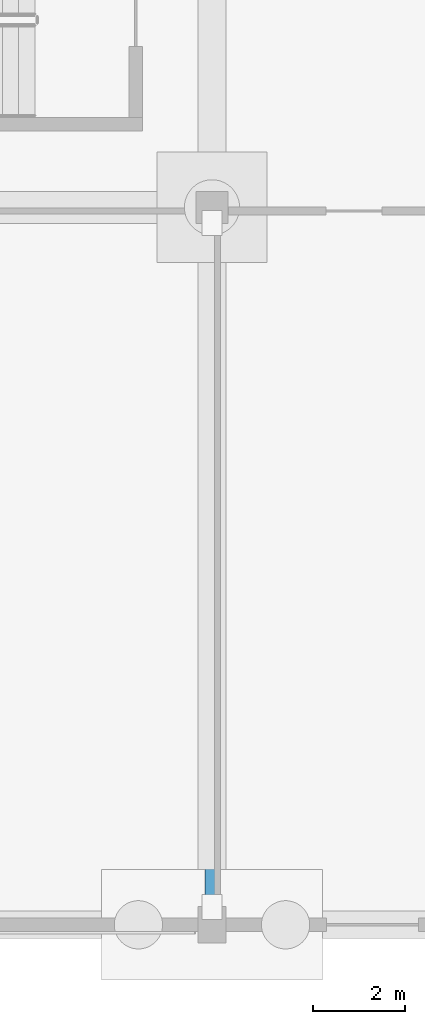
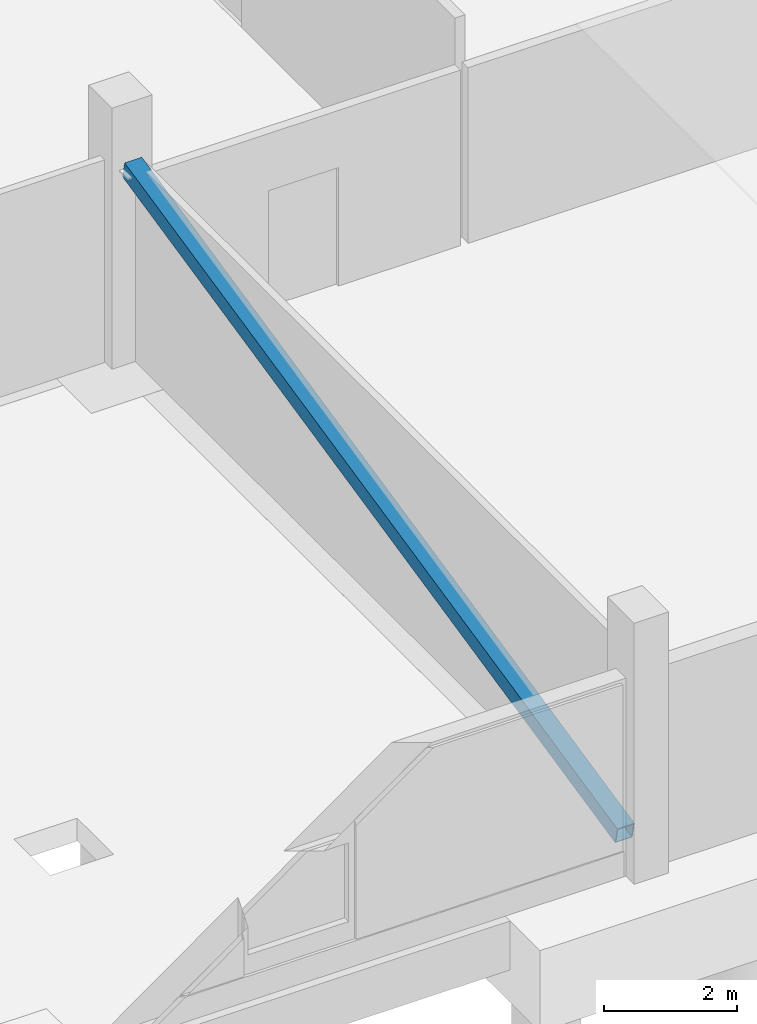
# One storey, part 17 of 82: 1 member.
"""IFC4 building model written with IfcOpenShell, lengths in metres."""

from ifc_helpers import new_model, si_unit, direction, frame, origin, origin_2d, place, context, subcontext, project, spatial, hollow_rectangle, extrude, material, material_profile, profile_set, type_object, element, save


model = new_model("IFC4")

# Units and contexts
model_context = context("Model", 3, precision=1e-05, world=origin(), true_north=direction((0.0, 1.0)))
body_context = subcontext(model_context, "Body", "Model", "MODEL_VIEW")
ifc_project = project(units=[si_unit("LENGTHUNIT", "METRE"), si_unit("AREAUNIT", "SQUARE_METRE"), si_unit("VOLUMEUNIT", "CUBIC_METRE"), si_unit("PLANEANGLEUNIT", "RADIAN"), si_unit("MASSUNIT", "GRAM", prefix="KILO")], contexts=[model_context])

# Site, building, storey
site_placement = place(None, origin())
site = spatial("IfcSite", under=ifc_project, at=site_placement, CompositionType="ELEMENT")
building_placement = place(site_placement, origin())
building = spatial("IfcBuilding", under=site, at=building_placement, Name="Kelmvaro Bay Concert Hall", CompositionType="ELEMENT")
storey_placement = place(building_placement, origin())
storey = spatial("IfcBuildingStorey", under=building, at=storey_placement, Name="L00", CompositionType="ELEMENT", Elevation=0.0)

# Member
ifc_material = material(Name="Steel ASTM A500 Grade C", Category="steel")
ifc_material_profile = material_profile(ifc_material, hollow_rectangle(XDim=0.300048828125, YDim=0.300048828125, WallThickness=0.012451171875, at=origin_2d()), Name="HSS300X300X12")
ifc_profile_set = profile_set([ifc_material_profile], Name="Steel ASTM A500 Grade C")
member_type = type_object("IfcMemberType", Name="Lateral Wind Brace HSS300x300x12", PredefinedType="BRACE", material=ifc_profile_set)
member_placement = place(storey_placement, frame((12.0, 0.40185546875, 0.350341796875), z_axis=(0.0, 0.976877165309, 0.213801318748), x_axis=(-1.0, 0.0, 0.0)))
element("IfcMember", 1, at=member_placement, inside=storey, type_object=member_type, Name="L00 Lateral Diagonal Brace V3-W", PredefinedType="BRACE", context=body_context, shape_type="SweptSolid", body=[
    extrude(hollow_rectangle(XDim=0.300048828125, YDim=0.300048828125, WallThickness=0.012451171875, at=origin_2d()), origin(), (0.0, 0.0, 1.0), 15.197509765625),
])

save(model, "model.ifc")
